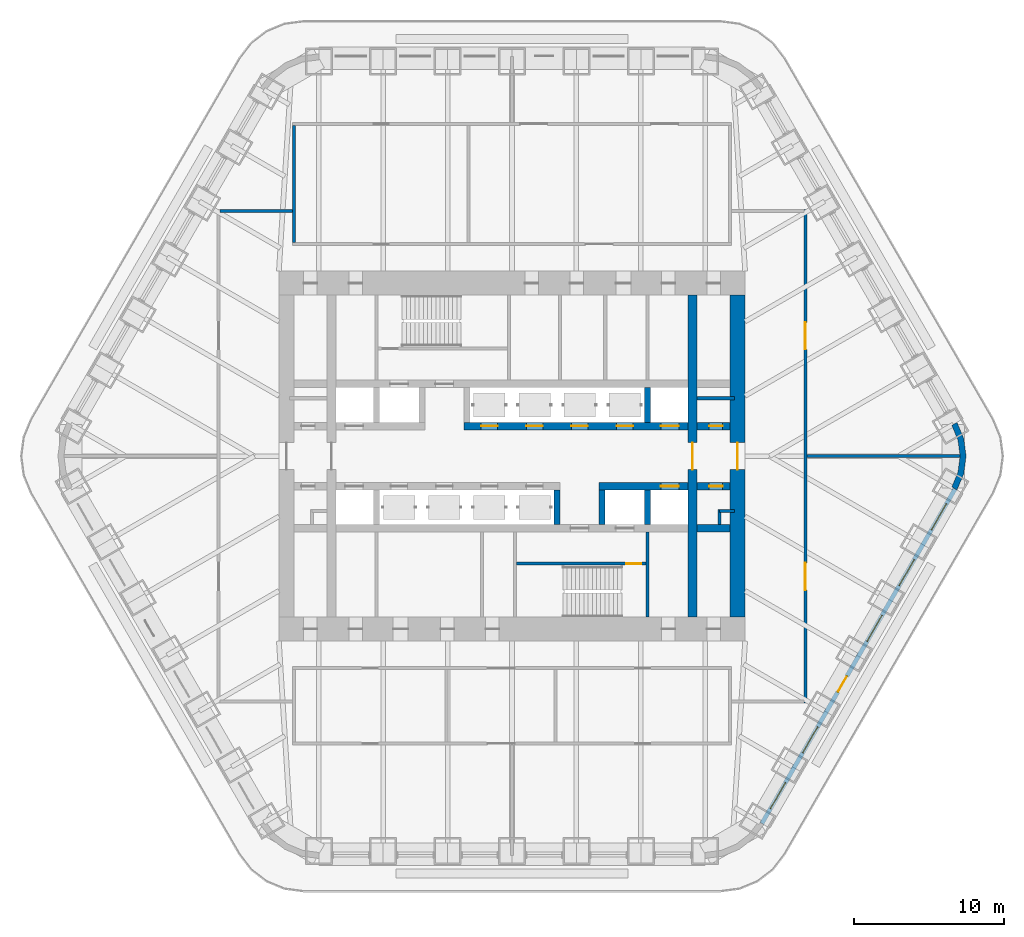
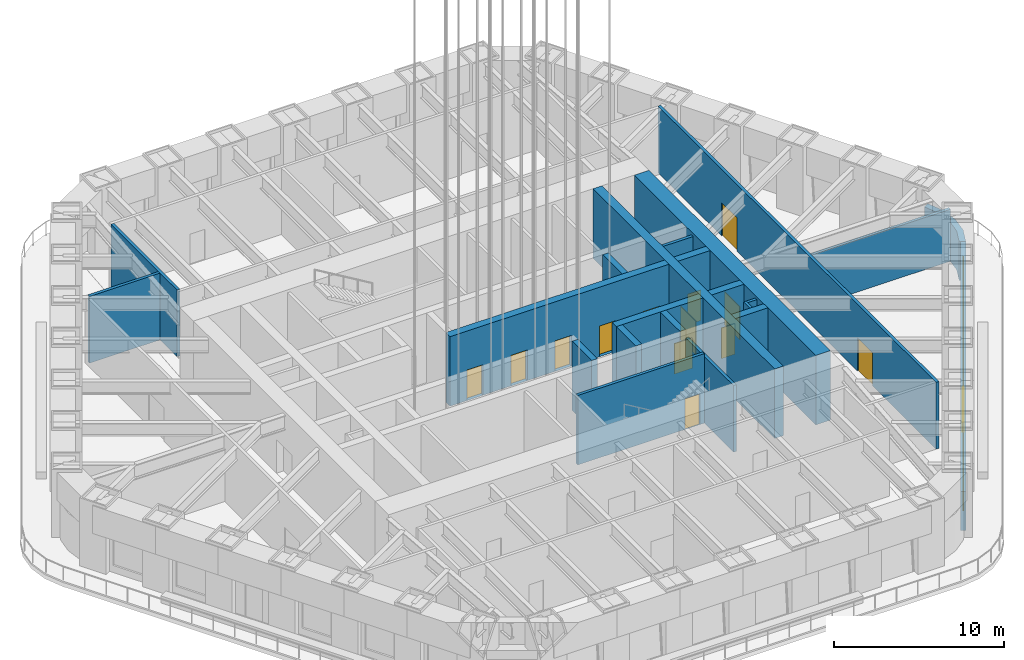
# One storey, part 9 of 14: 22 walls, 14 doors, 5 windows, 19 openings.
"""IFC4 building model written with IfcOpenShell, lengths in metres."""

from ifc_helpers import new_model, si_unit, direction, frame, frame_2d, origin, place, context, subcontext, project, spatial, polyline, rectangle, outline, extrude, material, layer, layer_set, type_object, element, fill, save


model = new_model("IFC4")

# Units and contexts
model_context = context("Model", 3, precision=1e-05, world=origin(), true_north=direction((0.0, 1.0)))
body_context = subcontext(model_context, "Body", "Model", "MODEL_VIEW")
ifc_project = project(units=[si_unit("LENGTHUNIT", "METRE"), si_unit("AREAUNIT", "SQUARE_METRE"), si_unit("VOLUMEUNIT", "CUBIC_METRE"), si_unit("PLANEANGLEUNIT", "RADIAN"), si_unit("MASSUNIT", "GRAM", prefix="KILO")], contexts=[model_context])

# Site, building, storey
site_placement = place(None, origin())
site = spatial("IfcSite", under=ifc_project, at=site_placement, CompositionType="ELEMENT")
building_placement = place(site_placement, origin())
building = spatial("IfcBuilding", under=site, at=building_placement, Name="Tarfa Lantern Tower", CompositionType="ELEMENT")
storey_placement = place(building_placement, frame((0.0, 0.0, 306.5)))
storey = spatial("IfcBuildingStorey", under=building, at=storey_placement, Name="L69", CompositionType="ELEMENT", Elevation=306.5)

# Wall, openings, door, windows
ifc_material_1 = material(Name="Limestone cladding on blockwork", Category="masonry")
ifc_layer_1 = layer(ifc_material_1, 0.300048828125)
ifc_layer_set_1 = layer_set([ifc_layer_1], Name="EW1 STONE-CLAD WALL 300")
wall_type_1 = type_object("IfcWallType", Name="EW1 STONE-CLAD WALL 300", PredefinedType="SOLIDWALL", material=ifc_layer_set_1)
wall_1_placement = place(storey_placement, frame((16.61328125, -24.425048828125, 0.0), z_axis=(0.0, 0.0, 1.0), x_axis=(0.499997191038, 0.866027025533, 0.0)))
wall_1 = element("IfcWall", 1, at=wall_1_placement, inside=storey, type_object=wall_type_1, Name="Stone wall SE", PredefinedType="SOLIDWALL", context=body_context, shape_type="SweptSolid", body=[
    extrude(rectangle(XDim=25.692138671875, YDim=0.300048828125, at=frame_2d((12.84619140625, 0.0))), origin(), (0.0, 0.0, 1.0), 2.800048828125),
])
opening_1_placement = place(wall_1_placement, frame((1.14111328125, 0.0, 0.60009765625)))
opening_1 = element("IfcOpeningElement", 2, at=opening_1_placement, cuts=wall_1, Name="Opening W11", PredefinedType="OPENING", context=body_context, shape_type="SweptSolid", body=[
    extrude(rectangle(XDim=2.0, YDim=1.949951171875, at=frame_2d((1.0, 0.97509765625))), frame((0.0, 0.159912109375, 0.0), z_axis=(0.0, -1.0, 0.0), x_axis=(1.0, 0.0, 0.0)), (0.0, 0.0, 1.0), 0.320068359375),
])
opening_2_placement = place(wall_1_placement, frame((5.423095703125, 0.0, 0.60009765625)))
opening_2 = element("IfcOpeningElement", 3, at=opening_2_placement, cuts=wall_1, Name="Opening W11", PredefinedType="OPENING", context=body_context, shape_type="SweptSolid", body=[
    extrude(rectangle(XDim=2.0, YDim=1.949951171875, at=frame_2d((1.0, 0.97509765625))), frame((0.0, 0.159912109375, 0.0), z_axis=(0.0, -1.0, 0.0), x_axis=(1.0, 0.0, 0.0)), (0.0, 0.0, 1.0), 0.320068359375),
])
opening_3_placement = place(wall_1_placement, frame((10.10498046875, 0.0, 0.0)))
opening_3 = element("IfcOpeningElement", 4, at=opening_3_placement, cuts=wall_1, Name="Opening D43", PredefinedType="OPENING", context=body_context, shape_type="SweptSolid", body=[
    extrude(rectangle(XDim=1.199951171875, YDim=2.39990234375, at=frame_2d((0.60009765625, 1.199951171875))), frame((0.0, 0.159912109375, 0.0), z_axis=(0.0, -1.0, 0.0), x_axis=(1.0, 0.0, 0.0)), (0.0, 0.0, 1.0), 0.320068359375),
])
opening_4_placement = place(wall_1_placement, frame((13.987060546875, 0.0, 0.60009765625)))
opening_4 = element("IfcOpeningElement", 5, at=opening_4_placement, cuts=wall_1, Name="Opening W11", PredefinedType="OPENING", context=body_context, shape_type="SweptSolid", body=[
    extrude(rectangle(XDim=2.0, YDim=1.949951171875, at=frame_2d((1.0, 0.97509765625))), frame((0.0, 0.159912109375, 0.0), z_axis=(0.0, -1.0, 0.0), x_axis=(1.0, 0.0, 0.0)), (0.0, 0.0, 1.0), 0.320068359375),
])
opening_5_placement = place(wall_1_placement, frame((18.26904296875, 0.0, 0.60009765625)))
opening_5 = element("IfcOpeningElement", 6, at=opening_5_placement, cuts=wall_1, Name="Opening W11", PredefinedType="OPENING", context=body_context, shape_type="SweptSolid", body=[
    extrude(rectangle(XDim=2.0, YDim=1.949951171875, at=frame_2d((1.0, 0.97509765625))), frame((0.0, 0.159912109375, 0.0), z_axis=(0.0, -1.0, 0.0), x_axis=(1.0, 0.0, 0.0)), (0.0, 0.0, 1.0), 0.320068359375),
])
opening_6_placement = place(wall_1_placement, frame((22.551025390625, 0.0, 0.60009765625)))
opening_6 = element("IfcOpeningElement", 7, at=opening_6_placement, cuts=wall_1, Name="Opening W11", PredefinedType="OPENING", context=body_context, shape_type="SweptSolid", body=[
    extrude(rectangle(XDim=2.0, YDim=1.949951171875, at=frame_2d((1.0, 0.97509765625))), frame((0.0, 0.159912109375, 0.0), z_axis=(0.0, -1.0, 0.0), x_axis=(1.0, 0.0, 0.0)), (0.0, 0.0, 1.0), 0.320068359375),
])
ifc_material_2 = material(Name="Aluminium framed glazed door", Category="aluminium")
door_type_1 = type_object("IfcDoorType", Name="BE3 BALCONY DOOR 1200x2400", OperationType="SINGLE_SWING_RIGHT", PredefinedType="DOOR", material=ifc_material_2)
door_1_placement = place(opening_3_placement, origin())
door_1 = element("IfcDoor", 8, at=door_1_placement, inside=storey, type_object=door_type_1, Name="Balcony door SE", OperationType="SINGLE_SWING_RIGHT", OverallHeight=2.39990234375, OverallWidth=1.199951171875, PredefinedType="DOOR", context=body_context, shape_type="SweptSolid", body=[
    extrude(rectangle(XDim=1.199951171875, YDim=2.39990234375, at=frame_2d((0.60009765625, 1.199951171875))), frame((0.0, 0.02490234375, 0.0), z_axis=(0.0, -1.0, 0.0), x_axis=(1.0, 0.0, 0.0)), (0.0, 0.0, 1.0), 0.050048828125),
])
fill(opening_3, door_1)
ifc_material_3 = material(Name="Aluminium frame, double glazed", Category="aluminium")
window_type = type_object("IfcWindowType", Name="W11 FULL-HEIGHT GLAZING 2000x1950", PartitioningType="SINGLE_PANEL", PredefinedType="WINDOW", material=ifc_material_3)
window_1_placement = place(opening_1_placement, origin())
window_1 = element("IfcWindow", 9, at=window_1_placement, inside=storey, type_object=window_type, Name="Window SE 1", OverallHeight=1.949951171875, OverallWidth=2.0, PartitioningType="SINGLE_PANEL", PredefinedType="WINDOW", context=body_context, shape_type="SweptSolid", body=[
    extrude(rectangle(XDim=2.0, YDim=1.949951171875, at=frame_2d((1.0, 0.97509765625))), frame((0.0, 0.030029296875, 0.0), z_axis=(0.0, -1.0, 0.0), x_axis=(1.0, 0.0, 0.0)), (0.0, 0.0, 1.0), 0.06005859375),
])
fill(opening_1, window_1)
window_2_placement = place(opening_2_placement, origin())
window_2 = element("IfcWindow", 10, at=window_2_placement, inside=storey, type_object=window_type, Name="Window SE 2", OverallHeight=1.949951171875, OverallWidth=2.0, PartitioningType="SINGLE_PANEL", PredefinedType="WINDOW", context=body_context, shape_type="SweptSolid", body=[
    extrude(rectangle(XDim=2.0, YDim=1.949951171875, at=frame_2d((1.0, 0.97509765625))), frame((0.0, 0.030029296875, 0.0), z_axis=(0.0, -1.0, 0.0), x_axis=(1.0, 0.0, 0.0)), (0.0, 0.0, 1.0), 0.06005859375),
])
fill(opening_2, window_2)
window_3_placement = place(opening_4_placement, origin())
window_3 = element("IfcWindow", 11, at=window_3_placement, inside=storey, type_object=window_type, Name="Window SE 4", OverallHeight=1.949951171875, OverallWidth=2.0, PartitioningType="SINGLE_PANEL", PredefinedType="WINDOW", context=body_context, shape_type="SweptSolid", body=[
    extrude(rectangle(XDim=2.0, YDim=1.949951171875, at=frame_2d((1.0, 0.97509765625))), frame((0.0, 0.030029296875, 0.0), z_axis=(0.0, -1.0, 0.0), x_axis=(1.0, 0.0, 0.0)), (0.0, 0.0, 1.0), 0.06005859375),
])
fill(opening_4, window_3)
window_4_placement = place(opening_5_placement, origin())
window_4 = element("IfcWindow", 12, at=window_4_placement, inside=storey, type_object=window_type, Name="Window SE 5", OverallHeight=1.949951171875, OverallWidth=2.0, PartitioningType="SINGLE_PANEL", PredefinedType="WINDOW", context=body_context, shape_type="SweptSolid", body=[
    extrude(rectangle(XDim=2.0, YDim=1.949951171875, at=frame_2d((1.0, 0.97509765625))), frame((0.0, 0.030029296875, 0.0), z_axis=(0.0, -1.0, 0.0), x_axis=(1.0, 0.0, 0.0)), (0.0, 0.0, 1.0), 0.06005859375),
])
fill(opening_5, window_4)
window_5_placement = place(opening_6_placement, origin())
window_5 = element("IfcWindow", 13, at=window_5_placement, inside=storey, type_object=window_type, Name="Window SE 6", OverallHeight=1.949951171875, OverallWidth=2.0, PartitioningType="SINGLE_PANEL", PredefinedType="WINDOW", context=body_context, shape_type="SweptSolid", body=[
    extrude(rectangle(XDim=2.0, YDim=1.949951171875, at=frame_2d((1.0, 0.97509765625))), frame((0.0, 0.030029296875, 0.0), z_axis=(0.0, -1.0, 0.0), x_axis=(1.0, 0.0, 0.0)), (0.0, 0.0, 1.0), 0.06005859375),
])
fill(opening_6, window_5)

# Walls
ifc_layer_2 = layer(ifc_material_1, 0.39990234375)
ifc_layer_set_2 = layer_set([ifc_layer_2], Name="EW2 CURVED STONE CORNER 400")
wall_type_2 = type_object("IfcWallType", Name="EW2 CURVED STONE CORNER 400", PredefinedType="SOLIDWALL", material=ifc_layer_set_2)
wall_2_placement = place(storey_placement, origin())
element("IfcWall", 14, at=wall_2_placement, inside=storey, type_object=wall_type_2, Name="Stone corner SE-NE", PredefinedType="SOLIDWALL", context=body_context, shape_type="SweptSolid", body=[
    extrude(outline(polyline([(29.589111328125, -2.25), (30.038818359375, -1.164794921875), (30.192138671875, 0.0), (30.038818359375, 1.164794921875), (29.589111328125, 2.25), (29.24267578125, 2.050048828125), (29.65234375, 1.061279296875), (29.7919921875, 0.0), (29.65234375, -1.061279296875), (29.24267578125, -2.050048828125), (29.589111328125, -2.25)])), origin(), (0.0, 0.0, 1.0), 2.800048828125),
])
ifc_material_4 = material(Name="Concrete blockwork", Category="masonry")
ifc_layer_3 = layer(ifc_material_4, 0.199951171875)
ifc_layer_set_3 = layer_set([ifc_layer_3], Name="IW1 BLOCKWORK PARTITION 200 EI 120")
wall_type_3 = type_object("IfcWallType", Name="IW1 BLOCKWORK PARTITION 200 EI 120", PredefinedType="PARTITIONING", material=ifc_layer_set_3)
wall_3_placement = place(storey_placement, frame((9.0, -5.050048828125, 0.0), z_axis=(0.0, 0.0, 1.0), x_axis=(0.0, -1.0, 0.0)))
element("IfcWall", 15, at=wall_3_placement, inside=storey, type_object=wall_type_3, Name="Core partition", PredefinedType="PARTITIONING", context=body_context, shape_type="SweptSolid", body=[
    extrude(rectangle(XDim=5.64990234375, YDim=0.199951171875, at=frame_2d((2.824951171875, 0.0))), origin(), (0.0, 0.0, 1.0), 4.800048828125),
])
wall_4_placement = place(storey_placement, frame((12.300048828125, 3.85009765625, 0.0), z_axis=(0.0, 0.0, 1.0), x_axis=(1.0, 0.0, 0.0)))
element("IfcWall", 16, at=wall_4_placement, inside=storey, type_object=wall_type_3, Name="Core partition", PredefinedType="PARTITIONING", context=body_context, shape_type="SweptSolid", body=[
    extrude(rectangle(XDim=2.5, YDim=0.199951171875, at=frame_2d((1.25, 0.0))), origin(), (0.0, 0.0, 1.0), 4.800048828125),
])
for number, where, z_axis, x_axis, name in (
    (17, (14.800048828125, -3.64990234375, 0.0), (0.0, 0.0, 1.0), (-1.0, 0.0, 0.0), "Core partition"),
    (18, (13.800048828125, -3.550048828125, 0.0), (0.0, 0.0, 1.0), (0.0, -1.0, 0.0), "Core partition"),
):
    element("IfcWall", number, at=place(storey_placement, frame(where, z_axis=z_axis, x_axis=x_axis)), inside=storey, type_object=wall_type_3, Name=name, PredefinedType="PARTITIONING", context=body_context, shape_type="SweptSolid", body=[
        extrude(rectangle(XDim=1.0, YDim=0.199951171875, at=frame_2d((0.5, 0.0))), origin(), (0.0, 0.0, 1.0), 4.800048828125),
    ])
ifc_material_5 = material(Name="Gypsum board on steel studs", Category="steel")
ifc_layer_4 = layer(ifc_material_5, 0.2099609375)
ifc_layer_set_4 = layer_set([ifc_layer_4], Name="IW2 ACOUSTIC PARTITION 200")
wall_type_4 = type_object("IfcWallType", Name="IW2 ACOUSTIC PARTITION 200", PredefinedType="PARTITIONING", material=ifc_layer_set_4)
wall_5_placement = place(storey_placement, frame((-14.5, 14.199951171875, 0.0), z_axis=(0.0, 0.0, 1.0), x_axis=(0.0, 1.0, 0.0)))
element("IfcWall", 19, at=wall_5_placement, inside=storey, type_object=wall_type_4, Name="Partition", PredefinedType="PARTITIONING", context=body_context, shape_type="SweptSolid", body=[
    extrude(rectangle(XDim=7.800048828125, YDim=0.199951171875, at=frame_2d((3.89990234375, 0.0))), origin(), (0.0, 0.0, 1.0), 4.800048828125),
])

# Wall, openings, doors
wall_6_placement = place(storey_placement, frame((19.5, -16.39990234375, 0.0), z_axis=(0.0, 0.0, 1.0), x_axis=(0.0, 1.0, 0.0)))
wall_6 = element("IfcWall", 20, at=wall_6_placement, inside=storey, type_object=wall_type_4, Name="Partition", PredefinedType="PARTITIONING", context=body_context, shape_type="SweptSolid", body=[
    extrude(rectangle(XDim=32.7998046875, YDim=0.199951171875, at=frame_2d((16.39990234375, 0.0))), origin(), (0.0, 0.0, 1.0), 4.800048828125),
])
opening_7_placement = place(wall_6_placement, frame((23.5, 0.0, 0.0)))
opening_7 = element("IfcOpeningElement", 21, at=opening_7_placement, cuts=wall_6, Name="Opening D38", PredefinedType="OPENING", context=body_context, shape_type="SweptSolid", body=[
    extrude(rectangle(XDim=1.800048828125, YDim=2.39990234375, at=frame_2d((0.89990234375, 1.199951171875))), frame((0.0, 0.10986328125, 0.0), z_axis=(0.0, -1.0, 0.0), x_axis=(1.0, 0.0, 0.0)), (0.0, 0.0, 1.0), 0.219970703125),
])
opening_8_placement = place(wall_6_placement, frame((7.5, 0.0, 0.0)))
opening_8 = element("IfcOpeningElement", 22, at=opening_8_placement, cuts=wall_6, Name="Opening D40", PredefinedType="OPENING", context=body_context, shape_type="SweptSolid", body=[
    extrude(rectangle(XDim=1.800048828125, YDim=2.39990234375, at=frame_2d((0.89990234375, 1.199951171875))), frame((0.0, 0.10986328125, 0.0), z_axis=(0.0, -1.0, 0.0), x_axis=(1.0, 0.0, 0.0)), (0.0, 0.0, 1.0), 0.219970703125),
])
ifc_material_6 = material(Name="Timber door", Category="wood")
door_type_2 = type_object("IfcDoorType", Name="DR2 ROOM DOOR 1800x2400", OperationType="DOUBLE_DOOR_SINGLE_SWING", PredefinedType="DOOR", material=ifc_material_6)
door_2_placement = place(opening_7_placement, frame((1.800048828125, 0.0, 0.0), z_axis=(0.0, 0.0, 1.0), x_axis=(-1.0, 0.0, 0.0)))
door_2 = element("IfcDoor", 23, at=door_2_placement, inside=storey, type_object=door_type_2, Name="Executive visitor suite door", OperationType="DOUBLE_DOOR_SINGLE_SWING", OverallHeight=2.39990234375, OverallWidth=1.800048828125, PredefinedType="DOOR", context=body_context, shape_type="SweptSolid", body=[
    extrude(rectangle(XDim=1.800048828125, YDim=2.39990234375, at=frame_2d((0.89990234375, 1.199951171875))), frame((0.0, 0.02490234375, 0.0), z_axis=(0.0, -1.0, 0.0), x_axis=(1.0, 0.0, 0.0)), (0.0, 0.0, 1.0), 0.050048828125),
])
fill(opening_7, door_2)
door_3_placement = place(opening_8_placement, frame((1.800048828125, 0.0, 0.0), z_axis=(0.0, 0.0, 1.0), x_axis=(-1.0, 0.0, 0.0)))
door_3 = element("IfcDoor", 24, at=door_3_placement, inside=storey, type_object=door_type_2, Name="Concierge office door", OperationType="DOUBLE_DOOR_SINGLE_SWING", OverallHeight=2.39990234375, OverallWidth=1.800048828125, PredefinedType="DOOR", context=body_context, shape_type="SweptSolid", body=[
    extrude(rectangle(XDim=1.800048828125, YDim=2.39990234375, at=frame_2d((0.89990234375, 1.199951171875))), frame((0.0, 0.02490234375, 0.0), z_axis=(0.0, -1.0, 0.0), x_axis=(1.0, 0.0, 0.0)), (0.0, 0.0, 1.0), 0.050048828125),
])
fill(opening_8, door_3)

# Walls
wall_7_placement = place(storey_placement, frame((19.60009765625, 0.0, 0.0), z_axis=(0.0, 0.0, 1.0), x_axis=(1.0, 0.0, 0.0)))
element("IfcWall", 25, at=wall_7_placement, inside=storey, type_object=wall_type_4, Name="Partition", PredefinedType="PARTITIONING", context=body_context, shape_type="SweptSolid", body=[
    extrude(rectangle(XDim=10.178955078125, YDim=0.199951171875, at=frame_2d((5.08935546875, 0.0))), origin(), (0.0, 0.0, 1.0), 3.743896484375),
])
wall_8_placement = place(storey_placement, frame((-14.60009765625, 16.300048828125, 0.0), z_axis=(0.0, 0.0, 1.0), x_axis=(-1.0, 0.0, 0.0)))
element("IfcWall", 26, at=wall_8_placement, inside=storey, type_object=wall_type_4, Name="Partition", PredefinedType="PARTITIONING", context=body_context, shape_type="SweptSolid", body=[
    extrude(rectangle(XDim=4.7998046875, YDim=0.199951171875, at=frame_2d((2.39990234375, 0.0))), origin(), (0.0, 0.0, 1.0), 4.800048828125),
])

# Wall, opening, door
ifc_material_7 = material(Name="Concrete C80/95", Category="concrete")
ifc_layer_5 = layer(ifc_material_7, 0.199951171875)
ifc_layer_set_5 = layer_set([ifc_layer_5], Name="SW12 CORE WALL 200")
wall_type_5 = type_object("IfcWallType", Name="SW12 CORE WALL 200", PredefinedType="SHEAR", material=ifc_layer_set_5)
wall_9_placement = place(storey_placement, frame((8.89990234375, -7.14990234375, 0.0), z_axis=(0.0, 0.0, 1.0), x_axis=(-1.0, 0.0, 0.0)))
wall_9 = element("IfcWall", 27, at=wall_9_placement, inside=storey, type_object=wall_type_5, Name="Core wall stair partition S", PredefinedType="SHEAR", context=body_context, shape_type="SweptSolid", body=[
    extrude(rectangle(XDim=8.599853515625, YDim=0.199951171875, at=frame_2d((4.2998046875, 0.0))), origin(), (0.0, 0.0, 1.0), 5.0),
])
opening_9_placement = place(wall_9_placement, frame((0.300048828125, 0.0, 0.0)))
opening_9 = element("IfcOpeningElement", 28, at=opening_9_placement, cuts=wall_9, Name="Opening D24", PredefinedType="OPENING", context=body_context, shape_type="SweptSolid", body=[
    extrude(rectangle(XDim=1.0, YDim=2.199951171875, at=frame_2d((0.5, 1.10009765625))), frame((0.0, 0.10986328125, 0.0), z_axis=(0.0, -1.0, 0.0), x_axis=(1.0, 0.0, 0.0)), (0.0, 0.0, 1.0), 0.219970703125),
])
ifc_material_8 = material(Name="Steel fire door", Category="steel")
door_type_3 = type_object("IfcDoorType", Name="DF2 STAIR DOOR 1000x2200", OperationType="SINGLE_SWING_LEFT", PredefinedType="DOOR", material=ifc_material_8)
door_4_placement = place(opening_9_placement, origin())
door_4 = element("IfcDoor", 29, at=door_4_placement, inside=storey, type_object=door_type_3, Name="Stair door", OperationType="SINGLE_SWING_RIGHT", OverallHeight=2.199951171875, OverallWidth=1.0, PredefinedType="DOOR", context=body_context, shape_type="SweptSolid", body=[
    extrude(rectangle(XDim=1.0, YDim=2.199951171875, at=frame_2d((0.5, 1.10009765625))), frame((0.0, 0.02490234375, 0.0), z_axis=(0.0, -1.0, 0.0), x_axis=(1.0, 0.0, 0.0)), (0.0, 0.0, 1.0), 0.050048828125),
])
fill(opening_9, door_4)

ifc_layer_6 = layer(ifc_material_7, 1.0)
ifc_layer_set_6 = layer_set([ifc_layer_6], Name="SW2 CORE WALL 1000")
wall_type_6 = type_object("IfcWallType", Name="SW2 CORE WALL 1000", PredefinedType="SHEAR", material=ifc_layer_set_6)
wall_10_placement = place(storey_placement, frame((15.0, -10.699951171875, 0.0), z_axis=(0.0, 0.0, 1.0), x_axis=(0.0, 1.0, 0.0)))
wall_10 = element("IfcWall", 30, at=wall_10_placement, inside=storey, type_object=wall_type_6, Name="Core wall E", PredefinedType="SHEAR", context=body_context, shape_type="SweptSolid", body=[
    extrude(rectangle(XDim=21.39990234375, YDim=1.0, at=frame_2d((10.699951171875, 0.0))), origin(), (0.0, 0.0, 1.0), 5.0),
])
opening_10_placement = place(wall_10_placement, frame((9.800048828125, 0.0, 0.0)))
opening_10 = element("IfcOpeningElement", 31, at=opening_10_placement, cuts=wall_10, Name="Opening D11", PredefinedType="OPENING", context=body_context, shape_type="SweptSolid", body=[
    extrude(rectangle(XDim=1.800048828125, YDim=2.39990234375, at=frame_2d((0.89990234375, 1.199951171875))), frame((0.0, 0.510009765625, 0.0), z_axis=(0.0, -1.0, 0.0), x_axis=(1.0, 0.0, 0.0)), (0.0, 0.0, 1.0), 1.02001953125),
])
door_type_4 = type_object("IfcDoorType", Name="DL1 LOBBY DOOR 1800x2400", OperationType="DOUBLE_DOOR_SINGLE_SWING", PredefinedType="DOOR", material=ifc_material_8)
door_5_placement = place(opening_10_placement, origin())
door_5 = element("IfcDoor", 32, at=door_5_placement, inside=storey, type_object=door_type_4, Name="Lift lobby door", OperationType="DOUBLE_DOOR_SINGLE_SWING", OverallHeight=2.39990234375, OverallWidth=1.800048828125, PredefinedType="DOOR", context=body_context, shape_type="SweptSolid", body=[
    extrude(rectangle(XDim=1.800048828125, YDim=2.39990234375, at=frame_2d((0.89990234375, 1.199951171875))), frame((0.0, 0.02490234375, 0.0), z_axis=(0.0, -1.0, 0.0), x_axis=(1.0, 0.0, 0.0)), (0.0, 0.0, 1.0), 0.050048828125),
])
fill(opening_10, door_5)

# Wall, openings, doors
ifc_layer_7 = layer(ifc_material_7, 0.5)
ifc_layer_set_7 = layer_set([ifc_layer_7], Name="SW5 CORE WALL 500")
wall_type_7 = type_object("IfcWallType", Name="SW5 CORE WALL 500", PredefinedType="SHEAR", material=ifc_layer_set_7)
wall_11_placement = place(storey_placement, frame((-3.199951171875, 2.0, 0.0), z_axis=(0.0, 0.0, 1.0), x_axis=(1.0, 0.0, 0.0)))
wall_11 = element("IfcWall", 33, at=wall_11_placement, inside=storey, type_object=wall_type_7, Name="Core wall lobby east N", PredefinedType="SHEAR", context=body_context, shape_type="SweptSolid", body=[
    extrude(rectangle(XDim=14.89990234375, YDim=0.5, at=frame_2d((7.449951171875, 0.0))), origin(), (0.0, 0.0, 1.0), 5.0),
])
opening_11_placement = place(wall_11_placement, frame((1.14990234375, 0.0, 0.0)))
opening_11 = element("IfcOpeningElement", 34, at=opening_11_placement, cuts=wall_11, Name="Opening LD03", PredefinedType="OPENING", context=body_context, shape_type="SweptSolid", body=[
    extrude(rectangle(XDim=1.10009765625, YDim=2.199951171875, at=frame_2d((0.550048828125, 1.10009765625))), frame((0.0, 0.260009765625, 0.0), z_axis=(0.0, -1.0, 0.0), x_axis=(1.0, 0.0, 0.0)), (0.0, 0.0, 1.0), 0.52001953125),
])
opening_12_placement = place(wall_11_placement, frame((4.14990234375, 0.0, 0.0)))
opening_12 = element("IfcOpeningElement", 35, at=opening_12_placement, cuts=wall_11, Name="Opening LD04", PredefinedType="OPENING", context=body_context, shape_type="SweptSolid", body=[
    extrude(rectangle(XDim=1.10009765625, YDim=2.199951171875, at=frame_2d((0.550048828125, 1.10009765625))), frame((0.0, 0.260009765625, 0.0), z_axis=(0.0, -1.0, 0.0), x_axis=(1.0, 0.0, 0.0)), (0.0, 0.0, 1.0), 0.52001953125),
])
opening_13_placement = place(wall_11_placement, frame((7.14990234375, 0.0, 0.0)))
opening_13 = element("IfcOpeningElement", 36, at=opening_13_placement, cuts=wall_11, Name="Opening LD05", PredefinedType="OPENING", context=body_context, shape_type="SweptSolid", body=[
    extrude(rectangle(XDim=1.10009765625, YDim=2.199951171875, at=frame_2d((0.550048828125, 1.10009765625))), frame((0.0, 0.260009765625, 0.0), z_axis=(0.0, -1.0, 0.0), x_axis=(1.0, 0.0, 0.0)), (0.0, 0.0, 1.0), 0.52001953125),
])
opening_14_placement = place(wall_11_placement, frame((10.14990234375, 0.0, 0.0)))
opening_14 = element("IfcOpeningElement", 37, at=opening_14_placement, cuts=wall_11, Name="Opening LD06", PredefinedType="OPENING", context=body_context, shape_type="SweptSolid", body=[
    extrude(rectangle(XDim=1.10009765625, YDim=2.199951171875, at=frame_2d((0.550048828125, 1.10009765625))), frame((0.0, 0.260009765625, 0.0), z_axis=(0.0, -1.0, 0.0), x_axis=(1.0, 0.0, 0.0)), (0.0, 0.0, 1.0), 0.52001953125),
])
opening_15_placement = place(wall_11_placement, frame((13.10009765625, 0.0, 0.0)))
opening_15 = element("IfcOpeningElement", 38, at=opening_15_placement, cuts=wall_11, Name="Opening LD11", PredefinedType="OPENING", context=body_context, shape_type="SweptSolid", body=[
    extrude(rectangle(XDim=1.199951171875, YDim=2.199951171875, at=frame_2d((0.60009765625, 1.10009765625))), frame((0.0, 0.260009765625, 0.0), z_axis=(0.0, -1.0, 0.0), x_axis=(1.0, 0.0, 0.0)), (0.0, 0.0, 1.0), 0.52001953125),
])
ifc_material_9 = material(Name="Stainless steel lift door", Category="steel")
door_type_5 = type_object("IfcDoorType", Name="LD1 LIFT LANDING DOOR 1200x2200", OperationType="SLIDING_TO_LEFT", PredefinedType="DOOR", material=ifc_material_9)
door_6_placement = place(opening_15_placement, frame((1.199951171875, 0.0, 0.0), z_axis=(0.0, 0.0, 1.0), x_axis=(-1.0, 0.0, 0.0)))
door_6 = element("IfcDoor", 39, at=door_6_placement, inside=storey, type_object=door_type_5, Name="Landing door S10", OperationType="SLIDING_TO_LEFT", OverallHeight=2.199951171875, OverallWidth=1.199951171875, PredefinedType="DOOR", context=body_context, shape_type="SweptSolid", body=[
    extrude(rectangle(XDim=1.199951171875, YDim=2.199951171875, at=frame_2d((0.60009765625, 1.10009765625))), frame((0.0, 0.02490234375, 0.0), z_axis=(0.0, -1.0, 0.0), x_axis=(1.0, 0.0, 0.0)), (0.0, 0.0, 1.0), 0.050048828125),
])
fill(opening_15, door_6)
door_type_6 = type_object("IfcDoorType", Name="LD2 LIFT LANDING DOOR 1100x2200", OperationType="SLIDING_TO_LEFT", PredefinedType="DOOR", material=ifc_material_9)
door_7_placement = place(opening_11_placement, frame((1.10009765625, 0.0, 0.0), z_axis=(0.0, 0.0, 1.0), x_axis=(-1.0, 0.0, 0.0)))
door_7 = element("IfcDoor", 40, at=door_7_placement, inside=storey, type_object=door_type_6, Name="Landing door PD1", OperationType="SLIDING_TO_LEFT", OverallHeight=2.199951171875, OverallWidth=1.10009765625, PredefinedType="DOOR", context=body_context, shape_type="SweptSolid", body=[
    extrude(rectangle(XDim=1.10009765625, YDim=2.199951171875, at=frame_2d((0.550048828125, 1.10009765625))), frame((0.0, 0.02490234375, 0.0), z_axis=(0.0, -1.0, 0.0), x_axis=(1.0, 0.0, 0.0)), (0.0, 0.0, 1.0), 0.050048828125),
])
fill(opening_11, door_7)
door_8_placement = place(opening_12_placement, frame((1.10009765625, 0.0, 0.0), z_axis=(0.0, 0.0, 1.0), x_axis=(-1.0, 0.0, 0.0)))
door_8 = element("IfcDoor", 41, at=door_8_placement, inside=storey, type_object=door_type_6, Name="Landing door PD2", OperationType="SLIDING_TO_LEFT", OverallHeight=2.199951171875, OverallWidth=1.10009765625, PredefinedType="DOOR", context=body_context, shape_type="SweptSolid", body=[
    extrude(rectangle(XDim=1.10009765625, YDim=2.199951171875, at=frame_2d((0.550048828125, 1.10009765625))), frame((0.0, 0.02490234375, 0.0), z_axis=(0.0, -1.0, 0.0), x_axis=(1.0, 0.0, 0.0)), (0.0, 0.0, 1.0), 0.050048828125),
])
fill(opening_12, door_8)
door_9_placement = place(opening_13_placement, frame((1.10009765625, 0.0, 0.0), z_axis=(0.0, 0.0, 1.0), x_axis=(-1.0, 0.0, 0.0)))
door_9 = element("IfcDoor", 42, at=door_9_placement, inside=storey, type_object=door_type_6, Name="Landing door PD3", OperationType="SLIDING_TO_LEFT", OverallHeight=2.199951171875, OverallWidth=1.10009765625, PredefinedType="DOOR", context=body_context, shape_type="SweptSolid", body=[
    extrude(rectangle(XDim=1.10009765625, YDim=2.199951171875, at=frame_2d((0.550048828125, 1.10009765625))), frame((0.0, 0.02490234375, 0.0), z_axis=(0.0, -1.0, 0.0), x_axis=(1.0, 0.0, 0.0)), (0.0, 0.0, 1.0), 0.050048828125),
])
fill(opening_13, door_9)
door_10_placement = place(opening_14_placement, frame((1.10009765625, 0.0, 0.0), z_axis=(0.0, 0.0, 1.0), x_axis=(-1.0, 0.0, 0.0)))
door_10 = element("IfcDoor", 43, at=door_10_placement, inside=storey, type_object=door_type_6, Name="Landing door PD4", OperationType="SLIDING_TO_LEFT", OverallHeight=2.199951171875, OverallWidth=1.10009765625, PredefinedType="DOOR", context=body_context, shape_type="SweptSolid", body=[
    extrude(rectangle(XDim=1.10009765625, YDim=2.199951171875, at=frame_2d((0.550048828125, 1.10009765625))), frame((0.0, 0.02490234375, 0.0), z_axis=(0.0, -1.0, 0.0), x_axis=(1.0, 0.0, 0.0)), (0.0, 0.0, 1.0), 0.050048828125),
])
fill(opening_14, door_10)

# Wall, opening, door
wall_12_placement = place(storey_placement, frame((12.300048828125, 2.0, 0.0), z_axis=(0.0, 0.0, 1.0), x_axis=(1.0, 0.0, 0.0)))
wall_12 = element("IfcWall", 44, at=wall_12_placement, inside=storey, type_object=wall_type_7, Name="Core wall lobby east N", PredefinedType="SHEAR", context=body_context, shape_type="SweptSolid", body=[
    extrude(rectangle(XDim=2.199951171875, YDim=0.5, at=frame_2d((1.10009765625, 0.0))), origin(), (0.0, 0.0, 1.0), 5.0),
])
opening_16_placement = place(wall_12_placement, frame((0.800048828125, 0.0, 0.0)))
opening_16 = element("IfcOpeningElement", 45, at=opening_16_placement, cuts=wall_12, Name="Opening D13", PredefinedType="OPENING", context=body_context, shape_type="SweptSolid", body=[
    extrude(rectangle(XDim=0.89990234375, YDim=2.199951171875, at=frame_2d((0.449951171875, 1.10009765625))), frame((0.0, 0.260009765625, 0.0), z_axis=(0.0, -1.0, 0.0), x_axis=(1.0, 0.0, 0.0)), (0.0, 0.0, 1.0), 0.52001953125),
])
door_type_7 = type_object("IfcDoorType", Name="DF6 SERVICE ROOM DOOR 900x2200", OperationType="SINGLE_SWING_LEFT", PredefinedType="DOOR", material=ifc_material_8)
door_11_placement = place(opening_16_placement, origin())
door_11 = element("IfcDoor", 46, at=door_11_placement, inside=storey, type_object=door_type_7, Name="Service room door", OperationType="SINGLE_SWING_LEFT", OverallHeight=2.199951171875, OverallWidth=0.89990234375, PredefinedType="DOOR", context=body_context, shape_type="SweptSolid", body=[
    extrude(rectangle(XDim=0.89990234375, YDim=2.199951171875, at=frame_2d((0.449951171875, 1.10009765625))), frame((0.0, 0.02490234375, 0.0), z_axis=(0.0, -1.0, 0.0), x_axis=(1.0, 0.0, 0.0)), (0.0, 0.0, 1.0), 0.050048828125),
])
fill(opening_16, door_11)

wall_13_placement = place(storey_placement, frame((14.5, -2.0, 0.0), z_axis=(0.0, 0.0, 1.0), x_axis=(-1.0, 0.0, 0.0)))
wall_13 = element("IfcWall", 47, at=wall_13_placement, inside=storey, type_object=wall_type_7, Name="Core wall lobby west S", PredefinedType="SHEAR", context=body_context, shape_type="SweptSolid", body=[
    extrude(rectangle(XDim=2.199951171875, YDim=0.5, at=frame_2d((1.10009765625, 0.0))), origin(), (0.0, 0.0, 1.0), 5.0),
])
opening_17_placement = place(wall_13_placement, frame((0.5, 0.0, 0.0)))
opening_17 = element("IfcOpeningElement", 48, at=opening_17_placement, cuts=wall_13, Name="Opening D16", PredefinedType="OPENING", context=body_context, shape_type="SweptSolid", body=[
    extrude(rectangle(XDim=0.89990234375, YDim=2.199951171875, at=frame_2d((0.449951171875, 1.10009765625))), frame((0.0, 0.260009765625, 0.0), z_axis=(0.0, -1.0, 0.0), x_axis=(1.0, 0.0, 0.0)), (0.0, 0.0, 1.0), 0.52001953125),
])
door_12_placement = place(opening_17_placement, origin())
door_12 = element("IfcDoor", 49, at=door_12_placement, inside=storey, type_object=door_type_7, Name="Service room door", OperationType="SINGLE_SWING_RIGHT", OverallHeight=2.199951171875, OverallWidth=0.89990234375, PredefinedType="DOOR", context=body_context, shape_type="SweptSolid", body=[
    extrude(rectangle(XDim=0.89990234375, YDim=2.199951171875, at=frame_2d((0.449951171875, 1.10009765625))), frame((0.0, 0.02490234375, 0.0), z_axis=(0.0, -1.0, 0.0), x_axis=(1.0, 0.0, 0.0)), (0.0, 0.0, 1.0), 0.050048828125),
])
fill(opening_17, door_12)

wall_14_placement = place(storey_placement, frame((11.699951171875, -2.0, 0.0), z_axis=(0.0, 0.0, 1.0), x_axis=(-1.0, 0.0, 0.0)))
wall_14 = element("IfcWall", 50, at=wall_14_placement, inside=storey, type_object=wall_type_7, Name="Core wall lobby west S", PredefinedType="SHEAR", context=body_context, shape_type="SweptSolid", body=[
    extrude(rectangle(XDim=5.89990234375, YDim=0.5, at=frame_2d((2.949951171875, 0.0))), origin(), (0.0, 0.0, 1.0), 5.0),
])
opening_18_placement = place(wall_14_placement, frame((0.60009765625, 0.0, 0.0)))
opening_18 = element("IfcOpeningElement", 51, at=opening_18_placement, cuts=wall_14, Name="Opening LD12", PredefinedType="OPENING", context=body_context, shape_type="SweptSolid", body=[
    extrude(rectangle(XDim=1.199951171875, YDim=2.199951171875, at=frame_2d((0.60009765625, 1.10009765625))), frame((0.0, 0.260009765625, 0.0), z_axis=(0.0, -1.0, 0.0), x_axis=(1.0, 0.0, 0.0)), (0.0, 0.0, 1.0), 0.52001953125),
])
door_13_placement = place(opening_18_placement, frame((1.199951171875, 0.0, 0.0), z_axis=(0.0, 0.0, 1.0), x_axis=(-1.0, 0.0, 0.0)))
door_13 = element("IfcDoor", 52, at=door_13_placement, inside=storey, type_object=door_type_5, Name="Landing door S11", OperationType="SLIDING_TO_LEFT", OverallHeight=2.199951171875, OverallWidth=1.199951171875, PredefinedType="DOOR", context=body_context, shape_type="SweptSolid", body=[
    extrude(rectangle(XDim=1.199951171875, YDim=2.199951171875, at=frame_2d((0.60009765625, 1.10009765625))), frame((0.0, 0.02490234375, 0.0), z_axis=(0.0, -1.0, 0.0), x_axis=(1.0, 0.0, 0.0)), (0.0, 0.0, 1.0), 0.050048828125),
])
fill(opening_18, door_13)

# Walls
wall_15_placement = place(storey_placement, frame((14.5, -4.800048828125, 0.0), z_axis=(0.0, 0.0, 1.0), x_axis=(-1.0, 0.0, 0.0)))
element("IfcWall", 53, at=wall_15_placement, inside=storey, type_object=wall_type_7, Name="Core wall rear S", PredefinedType="SHEAR", context=body_context, shape_type="SweptSolid", body=[
    extrude(rectangle(XDim=2.199951171875, YDim=0.5, at=frame_2d((1.10009765625, 0.0))), origin(), (0.0, 0.0, 1.0), 5.0),
])
ifc_layer_8 = layer(ifc_material_7, 0.39990234375)
ifc_layer_set_8 = layer_set([ifc_layer_8], Name="SW6 CORE WALL 400")
wall_type_8 = type_object("IfcWallType", Name="SW6 CORE WALL 400", PredefinedType="SHEAR", material=ifc_layer_set_8)
for number, where, z_axis, x_axis, name in (
    (54, (9.0, 2.25, 0.0), (0.0, 0.0, 1.0), (0.0, 1.0, 0.0), "Core wall divider N"),
    (55, (9.0, -2.25, 0.0), (0.0, 0.0, 1.0), (0.0, -1.0, 0.0), "Core wall divider S"),
    (56, (6.0, -2.25, 0.0), (0.0, 0.0, 1.0), (0.0, -1.0, 0.0), "Core wall divider S"),
    (57, (3.0, -2.25, 0.0), (0.0, 0.0, 1.0), (0.0, -1.0, 0.0), "Core wall divider S"),
):
    element("IfcWall", number, at=place(storey_placement, frame(where, z_axis=z_axis, x_axis=x_axis)), inside=storey, type_object=wall_type_8, Name=name, PredefinedType="SHEAR", context=body_context, shape_type="SweptSolid", body=[
        extrude(rectangle(XDim=2.300048828125, YDim=0.39990234375, at=frame_2d((1.14990234375, 0.0))), origin(), (0.0, 0.0, 1.0), 5.0),
    ])

# Wall, opening, door
ifc_layer_9 = layer(ifc_material_7, 0.60009765625)
ifc_layer_set_9 = layer_set([ifc_layer_9], Name="SW9 CORE WALL 600")
wall_type_9 = type_object("IfcWallType", Name="SW9 CORE WALL 600", PredefinedType="SHEAR", material=ifc_layer_set_9)
wall_16_placement = place(storey_placement, frame((12.0, -10.699951171875, 0.0), z_axis=(0.0, 0.0, 1.0), x_axis=(0.0, 1.0, 0.0)))
wall_16 = element("IfcWall", 58, at=wall_16_placement, inside=storey, type_object=wall_type_9, Name="Core wall cross 12 m east", PredefinedType="SHEAR", context=body_context, shape_type="SweptSolid", body=[
    extrude(rectangle(XDim=21.39990234375, YDim=0.60009765625, at=frame_2d((10.699951171875, 0.0))), origin(), (0.0, 0.0, 1.0), 5.0),
])
opening_19_placement = place(wall_16_placement, frame((9.800048828125, 0.0, 0.0)))
opening_19 = element("IfcOpeningElement", 59, at=opening_19_placement, cuts=wall_16, Name="Opening D25", PredefinedType="OPENING", context=body_context, shape_type="SweptSolid", body=[
    extrude(rectangle(XDim=1.800048828125, YDim=2.39990234375, at=frame_2d((0.89990234375, 1.199951171875))), frame((0.0, 0.31005859375, 0.0), z_axis=(0.0, -1.0, 0.0), x_axis=(1.0, 0.0, 0.0)), (0.0, 0.0, 1.0), 0.6201171875),
])
door_14_placement = place(opening_19_placement, origin())
door_14 = element("IfcDoor", 60, at=door_14_placement, inside=storey, type_object=door_type_4, Name="Lift lobby door", OperationType="DOUBLE_DOOR_SINGLE_SWING", OverallHeight=2.39990234375, OverallWidth=1.800048828125, PredefinedType="DOOR", context=body_context, shape_type="SweptSolid", body=[
    extrude(rectangle(XDim=1.800048828125, YDim=2.39990234375, at=frame_2d((0.89990234375, 1.199951171875))), frame((0.0, 0.02490234375, 0.0), z_axis=(0.0, -1.0, 0.0), x_axis=(1.0, 0.0, 0.0)), (0.0, 0.0, 1.0), 0.050048828125),
])
fill(opening_19, door_14)

save(model, "model.ifc")
